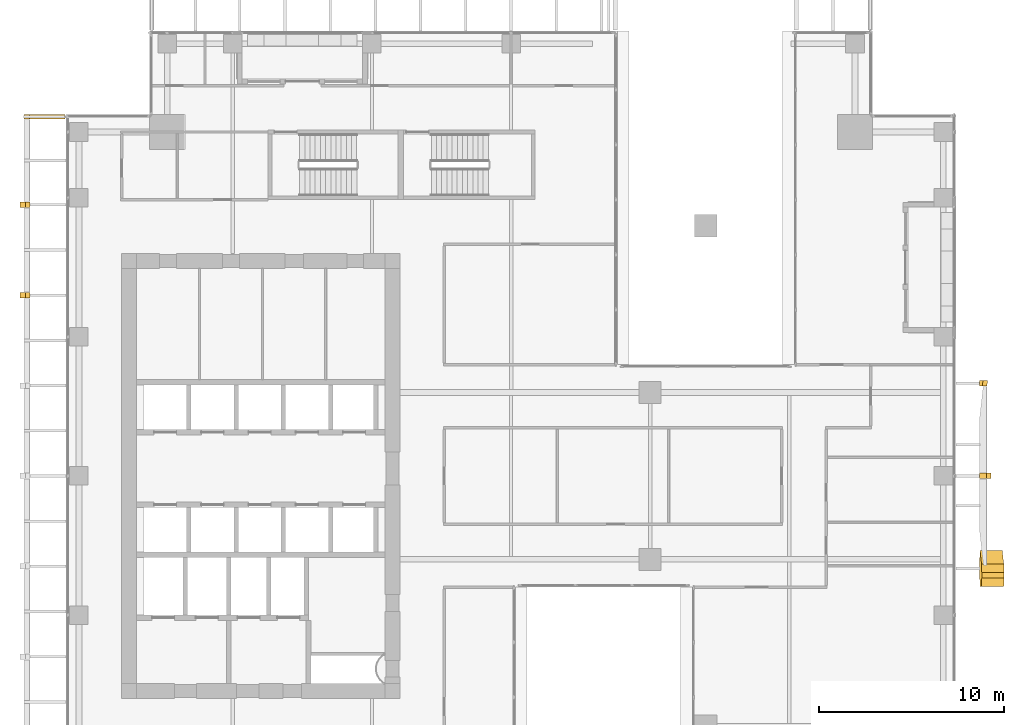
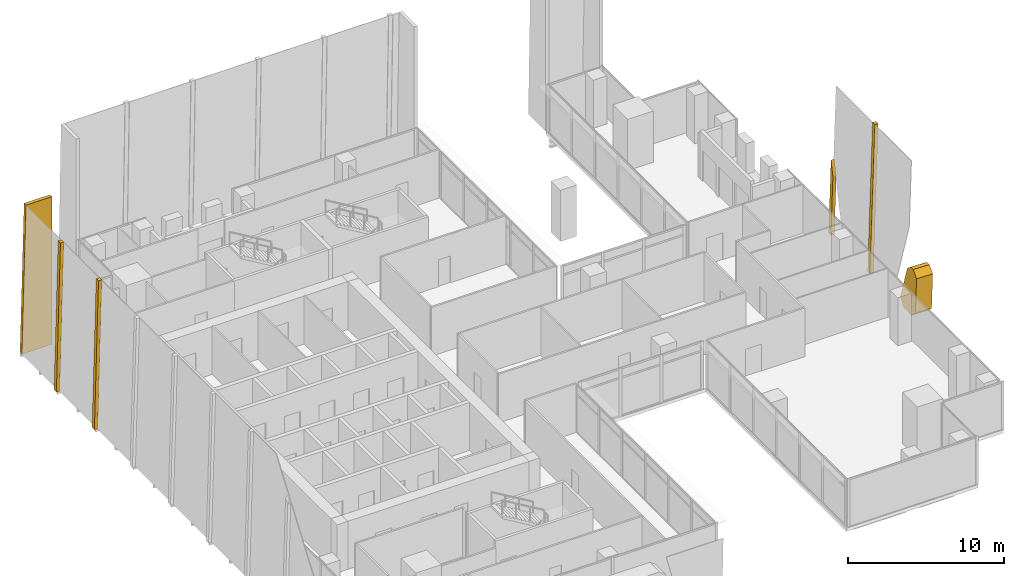
# One storey, part 38 of 40: 6 coverings.
"""IFC4 building model written with IfcOpenShell, lengths in metres."""

from ifc_helpers import new_model, si_unit, direction, frame, origin, place, context, subcontext, project, spatial, polyline, outline, extrude, material, layer, layer_set, type_object, element, save


model = new_model("IFC4")

# Units and contexts
model_context = context("Model", 3, precision=1e-05, world=origin(), true_north=direction((0.0, 1.0)))
body_context = subcontext(model_context, "Body", "Model", "MODEL_VIEW")
ifc_project = project(units=[si_unit("LENGTHUNIT", "METRE"), si_unit("AREAUNIT", "SQUARE_METRE"), si_unit("VOLUMEUNIT", "CUBIC_METRE"), si_unit("PLANEANGLEUNIT", "RADIAN"), si_unit("MASSUNIT", "GRAM", prefix="KILO")], contexts=[model_context])

# Site, building, storey
site_placement = place(None, origin())
site = spatial("IfcSite", under=ifc_project, at=site_placement, CompositionType="ELEMENT")
building_placement = place(site_placement, origin())
building = spatial("IfcBuilding", under=site, at=building_placement, Name="Khomas Fold Tower", CompositionType="ELEMENT")
storey_placement = place(building_placement, frame((0.0, 0.0, 176.699951171875)))
storey = spatial("IfcBuildingStorey", under=building, at=storey_placement, Name="L38", CompositionType="ELEMENT", Elevation=176.699951171875)

# Coverings
ifc_material_1 = material(Name="Natural stone cladding", Category="masonry")
ifc_layer_1 = layer(ifc_material_1, 0.25)
ifc_layer_set_1 = layer_set([ifc_layer_1], Name="Natural stone cladding")
covering_type_1 = type_object("IfcCoveringType", Name="SK-Karibib marble stone mullion", PredefinedType="CLADDING", material=ifc_layer_set_1)
covering_1_placement = place(storey_placement, frame((52.275634765625, 31.85009765625, 0.0), z_axis=(-0.999509593203, -1.7377543e-05, 0.031314098947), x_axis=(0.031314098952, -2e-11, 0.999509593354)))
element("IfcCovering", 1, at=covering_1_placement, inside=storey, type_object=covering_type_1, Name="OUTER SKIN mullion L38 EM104-1", PredefinedType="CLADDING", context=body_context, shape_type="SweptSolid", body=[
    extrude(outline(polyline([(0.0, 0.0), (4.545197908403712, -4.235164736271502e-22), (5.637041623277132, 0.29980468765755025), (-5.971738809599248e-12, 0.29980468745473265), (0.0, 0.0)])), origin(), (0.0, 0.0, -1.0), 0.25),
])
covering_2_placement = place(storey_placement, frame((52.275634765625, 26.85009765625, 0.0), z_axis=(-0.999510363794, 0.0, 0.031289497744), x_axis=(0.031289497744, 0.0, 0.999510363794)))
element("IfcCovering", 2, at=covering_2_placement, inside=storey, type_object=covering_type_1, Name="OUTER SKIN mullion L38 EM103-3", PredefinedType="CLADDING", context=body_context, shape_type="SweptSolid", body=[
    extrude(outline(polyline([(0.0, 0.0), (11.555706920623285, 0.0), (11.555706920623285, 0.2998046875), (0.0, 0.2998046875), (0.0, 0.0)])), origin(), (0.0, 0.0, -1.0), 0.25),
])
for number, where, z_axis, x_axis, name in (
    (3, (0.519287109375, 36.60009765625, 0.006591796875), (-0.999657230839, 0.0, 0.026180543005), (0.0, 1.0, 0.0), "OUTER SKIN mullion L38 W12"),
    (4, (0.519287109375, 41.47509765625, 0.006591796875), (-0.999657230839, 0.0, 0.026180543005), (0.0, 1.0, 0.0), "OUTER SKIN mullion L38 W14"),
):
    element("IfcCovering", number, at=place(storey_placement, frame(where, z_axis=z_axis, x_axis=x_axis)), inside=storey, type_object=covering_type_1, Name=name, PredefinedType="CLADDING", context=body_context, shape_type="SweptSolid", body=[
        extrude(outline(polyline([(0.0, 0.0), (0.2998046875, 0.0), (0.2998046875, -11.554009186164079), (0.0, -11.554009186164079), (0.0, 0.0)])), origin(), (0.0, 0.0, -1.0), 0.25),
    ])
covering_3_placement = place(storey_placement, frame((2.949951171875, 46.5, 0.0), z_axis=(0.0, 1.0, 0.0), x_axis=(-1.0, 0.0, 0.0)))
element("IfcCovering", 5, at=covering_3_placement, inside=storey, type_object=covering_type_1, Name="OUTER SKIN return L38 W2", PredefinedType="CLADDING", context=body_context, shape_type="SweptSolid", body=[
    extrude(outline(polyline([(0.0, 0.0), (2.220703125, 0.0), (1.918212890625, 11.550048828125), (0.0, 11.550048828125), (0.0, 0.0)])), origin(), (0.0, 0.0, -1.0), 0.25),
])
ifc_material_2 = material(Name="Natural stone cladding", Category="masonry")
ifc_layer_2 = layer(ifc_material_2, 1.199951171875)
ifc_layer_set_2 = layer_set([ifc_layer_2], Name="Natural stone cladding")
covering_type_2 = type_object("IfcCoveringType", Name="SK-Karibib marble stone panel", PredefinedType="CLADDING", material=ifc_layer_set_2)
covering_4_placement = place(storey_placement, frame((52.37646484375, 22.23876953125, 3.220703125), z_axis=(-0.999510535006, -6.7282699e-05, 0.031283955697), x_axis=(-0.030159056845, 0.267828631883, -0.962994421185)))
element("IfcCovering", 6, at=covering_4_placement, inside=storey, type_object=covering_type_2, Name="OUTER SKIN leaf L38 ES03-1", PredefinedType="CLADDING", context=body_context, shape_type="SweptSolid", body=[
    extrude(outline(polyline([(0.0, 0.0), (2.751985634997043, 0.0), (3.1859025666051943, 0.5704037987946498), (2.9066964488950116, 1.5747988737719623), (2.352459116838875, 1.8877423219265848), (-0.2021206002736148, 1.1776091295714308), (-0.5153309557237915, 0.6235287886769076), (-0.4335961437477427, 0.3295021273837832), (0.0, 0.0)])), origin(), (0.0, 0.0, -1.0), 1.199951171875),
])

save(model, "model.ifc")
